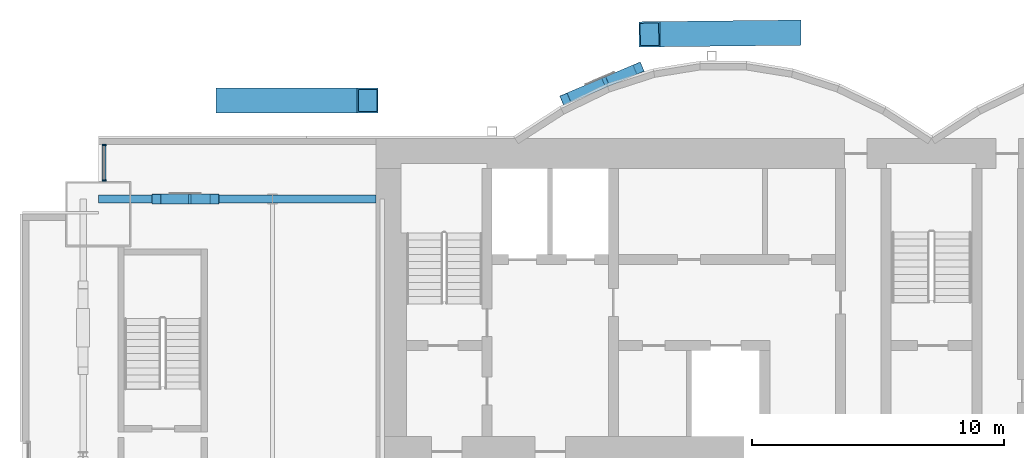
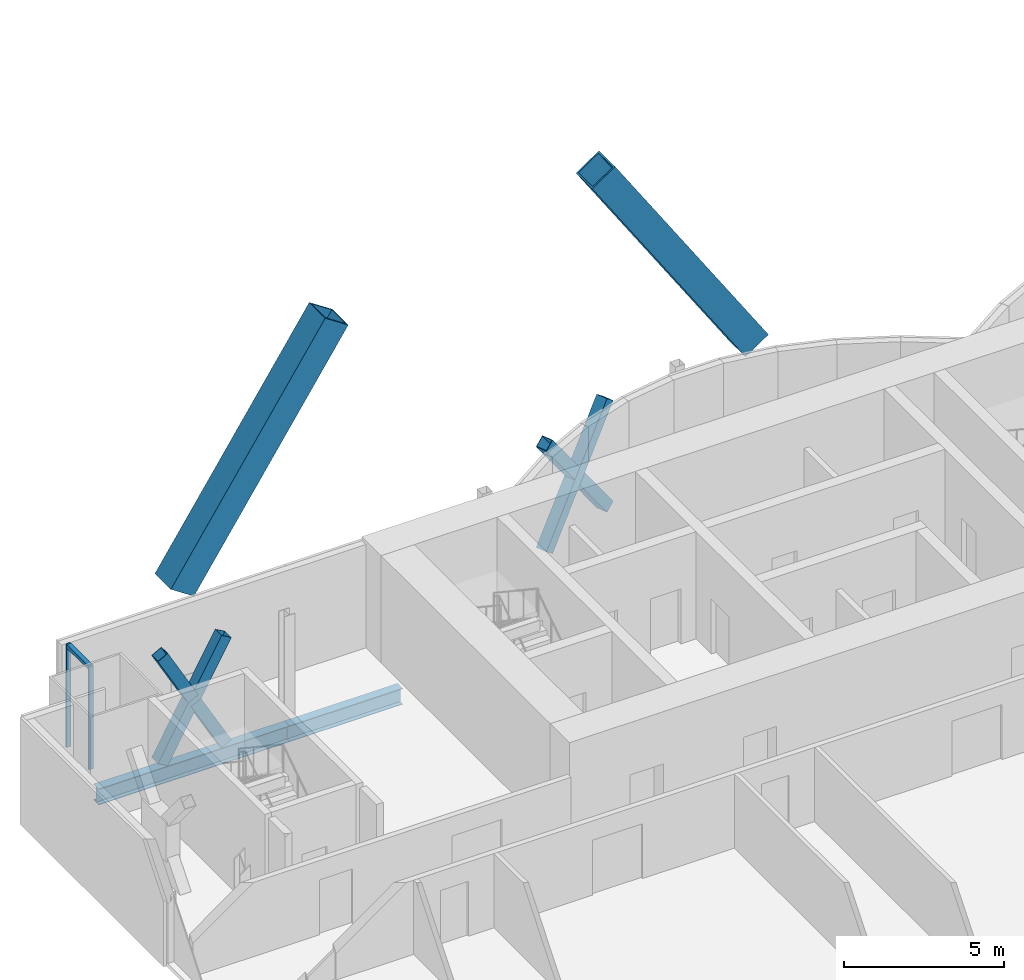
# One storey, part 11 of 21: 11 members, 2 beams, 1 element without a shape of its own.
"""IFC4 building model written with IfcOpenShell, lengths in metres."""

from ifc_helpers import new_model, si_unit, direction, frame, origin, origin_2d, place, context, subcontext, project, spatial, rectangle, hollow_rectangle, i_section, extrude, material, material_profile, profile_set, type_object, element, aggregate, save


model = new_model("IFC4")

# Units and contexts
model_context = context("Model", 3, precision=1e-05, world=origin(), true_north=direction((0.0, 1.0)))
body_context = subcontext(model_context, "Body", "Model", "MODEL_VIEW")
ifc_project = project(units=[si_unit("LENGTHUNIT", "METRE"), si_unit("AREAUNIT", "SQUARE_METRE"), si_unit("VOLUMEUNIT", "CUBIC_METRE"), si_unit("PLANEANGLEUNIT", "RADIAN"), si_unit("MASSUNIT", "GRAM", prefix="KILO")], contexts=[model_context])

# Site, building, storey
site_placement = place(None, origin())
site = spatial("IfcSite", under=ifc_project, at=site_placement, CompositionType="ELEMENT")
building_placement = place(site_placement, origin())
building = spatial("IfcBuilding", under=site, at=building_placement, Name="Bicima Exchange Tower", CompositionType="ELEMENT")
storey_placement = place(building_placement, frame((0.0, 0.0, 195.0)))
storey = spatial("IfcBuildingStorey", under=building, at=storey_placement, Name="L43", CompositionType="ELEMENT", Elevation=195.0)

# Members
ifc_material_1 = material(Name="Steel ASTM A572 Gr 50", Category="steel")
ifc_material_profile_1 = material_profile(ifc_material_1, hollow_rectangle(XDim=1.0, YDim=1.0, WallThickness=0.06005859375, at=origin_2d()))
ifc_profile_set_1 = profile_set([ifc_material_profile_1], Name="Steel ASTM A572 Gr 50")
member_type_1 = type_object("IfcMemberType", Name="Exo mega brace BOX 1000x1000x60", PredefinedType="BRACE", material=ifc_profile_set_1)
member_1_placement = place(storey_placement, frame((-27.916748046875, 1.5, 3.416748046875), z_axis=(0.55281335708, 0.0, 0.833305101529), x_axis=(0.0, 1.0, 0.0)))
element("IfcMember", 1, at=member_1_placement, inside=storey, type_object=member_type_1, Name="Exo mega brace rear", PredefinedType="BRACE", context=body_context, shape_type="SweptSolid", body=[
    extrude(hollow_rectangle(XDim=1.0, YDim=1.0, WallThickness=0.06005859375, at=origin_2d()), origin(), (0.0, 0.0, 1.0), 10.10009765625),
])
member_2_placement = place(storey_placement, frame((-5.583251953125, 4.1865234375, 3.416748046875), z_axis=(-0.552803101452, -0.006091227878, 0.833289642302), x_axis=(0.011018133066, -0.99993929853, 0.0)))
element("IfcMember", 2, at=member_2_placement, inside=storey, type_object=member_type_1, Name="Exo mega brace rear", PredefinedType="BRACE", context=body_context, shape_type="SweptSolid", body=[
    extrude(hollow_rectangle(XDim=1.0, YDim=1.0, WallThickness=0.06005859375, at=origin_2d()), origin(), (0.0, 0.0, 1.0), 10.100341796875),
])

# Curtain wall, members
ifc_material_2 = material(Name="Anodised bronze aluminium", Category="aluminium")
curtain_wall_type = type_object("IfcCurtainWallType", Name="Front glass wall", PredefinedType="NOTDEFINED", material=ifc_material_2)
curtain_wall_placement = place(storey_placement, origin())
curtain_wall = element("IfcCurtainWall", 3, at=curtain_wall_placement, inside=storey, type_object=curtain_wall_type, Name="Front glass wall L43 run 1", PredefinedType="NOTDEFINED")
ifc_material_profile_2 = material_profile(ifc_material_2, rectangle(XDim=0.159912109375, YDim=0.06005859375, at=origin_2d()))
ifc_profile_set_2 = profile_set([ifc_material_profile_2], Name="Anodised bronze aluminium")
member_type_2 = type_object("IfcMemberType", Name="Front glass wall mullion 60 x 160", PredefinedType="MULLION", material=ifc_profile_set_2)
member_3_placement = place(storey_placement, frame((-32.77001953125, -0.260009765625, 0.0), z_axis=(0.0, 0.0, 1.0), x_axis=(1.0, 0.0, 0.0)))
member_3 = element("IfcMember", 4, at=member_3_placement, type_object=member_type_2, Name="Front glass wall mullion 1", PredefinedType="MULLION", context=body_context, shape_type="SweptSolid", body=[
    extrude(rectangle(XDim=0.159912109375, YDim=0.06005859375, at=origin_2d()), origin(), (0.0, 0.0, 1.0), 3.949951171875),
])
member_4_placement = place(storey_placement, frame((-32.77001953125, -1.669921875, 0.0), z_axis=(0.0, 0.0, 1.0), x_axis=(1.0, 0.0, 0.0)))
member_4 = element("IfcMember", 5, at=member_4_placement, type_object=member_type_2, Name="Front glass wall mullion 2", PredefinedType="MULLION", context=body_context, shape_type="SweptSolid", body=[
    extrude(rectangle(XDim=0.159912109375, YDim=0.06005859375, at=origin_2d()), origin(), (0.0, 0.0, 1.0), 3.949951171875),
])
ifc_material_profile_3 = material_profile(ifc_material_2, rectangle(XDim=0.159912109375, YDim=0.139892578125, at=origin_2d()))
ifc_profile_set_3 = profile_set([ifc_material_profile_3], Name="Anodised bronze aluminium")
member_type_3 = type_object("IfcMemberType", Name="Front glass wall transom 140 x 160", PredefinedType="USERDEFINED", material=ifc_profile_set_3)
member_5_placement = place(storey_placement, frame((-32.77001953125, -0.2900390625, 3.8798828125), z_axis=(0.0, -1.0, 0.0), x_axis=(1.0, 0.0, 0.0)))
member_5 = element("IfcMember", 6, at=member_5_placement, type_object=member_type_3, Name="Front glass wall transom 1.1", ObjectType="TRANSOM", PredefinedType="USERDEFINED", context=body_context, shape_type="SweptSolid", body=[
    extrude(rectangle(XDim=0.159912109375, YDim=0.139892578125, at=origin_2d()), origin(), (0.0, 0.0, 1.0), 1.349853515625),
])
aggregate(curtain_wall, [member_3, member_4, member_5])

# Members
ifc_material_profile_4 = material_profile(ifc_material_1, hollow_rectangle(XDim=0.406494140625, YDim=0.406494140625, WallThickness=0.0146484375, at=origin_2d()))
ifc_profile_set_4 = profile_set([ifc_material_profile_4], Name="Steel ASTM A572 Gr 50")
member_type_4 = type_object("IfcMemberType", Name="Mega brace HSS16x16x5/8", PredefinedType="BRACE", material=ifc_profile_set_4)
member_6_placement = place(storey_placement, frame((-14.5, 1.55615234375, 0.0), z_axis=(0.560941150383, 0.237353950314, 0.793100326615), x_axis=(-0.389685518438, 0.920947988064, 0.0)))
element("IfcMember", 7, at=member_6_placement, inside=storey, type_object=member_type_4, Name="Mega brace rexo", PredefinedType="BRACE", context=body_context, shape_type="SweptSolid", body=[
    extrude(hollow_rectangle(XDim=0.406494140625, YDim=0.406494140625, WallThickness=0.0146484375, at=origin_2d()), origin(), (0.0, 0.0, 1.0), 5.169677734375),
])
for number, where, z_axis, x_axis, name in (
    (8, (-11.60009765625, 2.783203125, 0.0), (-0.560915223589, -0.237310286903, 0.793131729082), (0.389639990837, -0.920967251069, 0.0), "Mega brace rexo"),
    (9, (-13.12890625, 2.136474609375, 2.161376953125), (-0.5609019264, -0.237404536868, 0.793112926912), (0.389779070565, -0.920908397263, 0.0), "Mega brace rexo"),
):
    element("IfcMember", number, at=place(storey_placement, frame(where, z_axis=z_axis, x_axis=x_axis)), inside=storey, type_object=member_type_4, Name=name, PredefinedType="BRACE", context=body_context, shape_type="SweptSolid", body=[
        extrude(hollow_rectangle(XDim=0.406494140625, YDim=0.406494140625, WallThickness=0.0146484375, at=origin_2d()), origin(), (0.0, 0.0, 1.0), 2.4443359375),
    ])
member_7_placement = place(storey_placement, frame((-30.699951171875, -2.39990234375, 0.0), z_axis=(0.489250010841, 0.0, 0.87214358158), x_axis=(0.0, 1.0, 0.0)))
element("IfcMember", 10, at=member_7_placement, inside=storey, type_object=member_type_4, Name="Mega brace rear", PredefinedType="BRACE", context=body_context, shape_type="SweptSolid", body=[
    extrude(hollow_rectangle(XDim=0.406494140625, YDim=0.406494140625, WallThickness=0.0146484375, at=origin_2d()), origin(), (0.0, 0.0, 1.0), 4.701171875),
])
member_8_placement = place(storey_placement, frame((-28.39990234375, -2.39990234375, 0.0), z_axis=(-0.489281197616, 0.0, 0.872126085873), x_axis=(0.0, -1.0, 0.0)))
element("IfcMember", 11, at=member_8_placement, inside=storey, type_object=member_type_4, Name="Mega brace rear", PredefinedType="BRACE", context=body_context, shape_type="SweptSolid", body=[
    extrude(hollow_rectangle(XDim=0.406494140625, YDim=0.406494140625, WallThickness=0.0146484375, at=origin_2d()), origin(), (0.0, 0.0, 1.0), 2.247802734375),
])
member_9_placement = place(storey_placement, frame((-29.60009765625, -2.39990234375, 2.139404296875), z_axis=(-0.489234856459, 0.0, 0.872152082624), x_axis=(0.0, -1.0, 0.0)))
element("IfcMember", 12, at=member_9_placement, inside=storey, type_object=member_type_4, Name="Mega brace rear", PredefinedType="BRACE", context=body_context, shape_type="SweptSolid", body=[
    extrude(hollow_rectangle(XDim=0.406494140625, YDim=0.406494140625, WallThickness=0.0146484375, at=origin_2d()), origin(), (0.0, 0.0, 1.0), 2.248046875),
])

# Beams
ifc_material_3 = material(Name="Steel ASTM A992 Gr 50", Category="steel")
ifc_material_profile_5 = material_profile(ifc_material_3, i_section(OverallWidth=0.3251953125, OverallDepth=0.612060546875, WebThickness=0.0126953125, FlangeThickness=0.01904296875, at=origin_2d()))
ifc_profile_set_5 = profile_set([ifc_material_profile_5], Name="Steel ASTM A992 Gr 50")
beam_type = type_object("IfcBeamType", Name="Rear girder W24x104", PredefinedType="BEAM", material=ifc_profile_set_5)
beam_1_placement = place(storey_placement, frame((-22.0, -2.39990234375, -0.4560546875), z_axis=(-1.0, 0.0, 0.0), x_axis=(0.0, -1.0, 0.0)))
element("IfcBeam", 13, at=beam_1_placement, inside=storey, type_object=beam_type, Name="Rear girder", PredefinedType="BEAM", context=body_context, shape_type="SweptSolid", body=[
    extrude(i_section(OverallWidth=0.3251953125, OverallDepth=0.612060546875, WebThickness=0.0126953125, FlangeThickness=0.01904296875, at=origin_2d()), origin(), (0.0, 0.0, 1.0), 4.10009765625),
])
beam_2_placement = place(storey_placement, frame((-26.10009765625, -2.39990234375, -0.4560546875), z_axis=(-1.0, 0.0, 0.0), x_axis=(0.0, -1.0, 0.0)))
element("IfcBeam", 14, at=beam_2_placement, inside=storey, type_object=beam_type, Name="Rear girder", PredefinedType="BEAM", context=body_context, shape_type="SweptSolid", body=[
    extrude(i_section(OverallWidth=0.3251953125, OverallDepth=0.612060546875, WebThickness=0.0126953125, FlangeThickness=0.01904296875, at=origin_2d()), origin(), (0.0, 0.0, 1.0), 6.89990234375),
])

save(model, "model.ifc")
